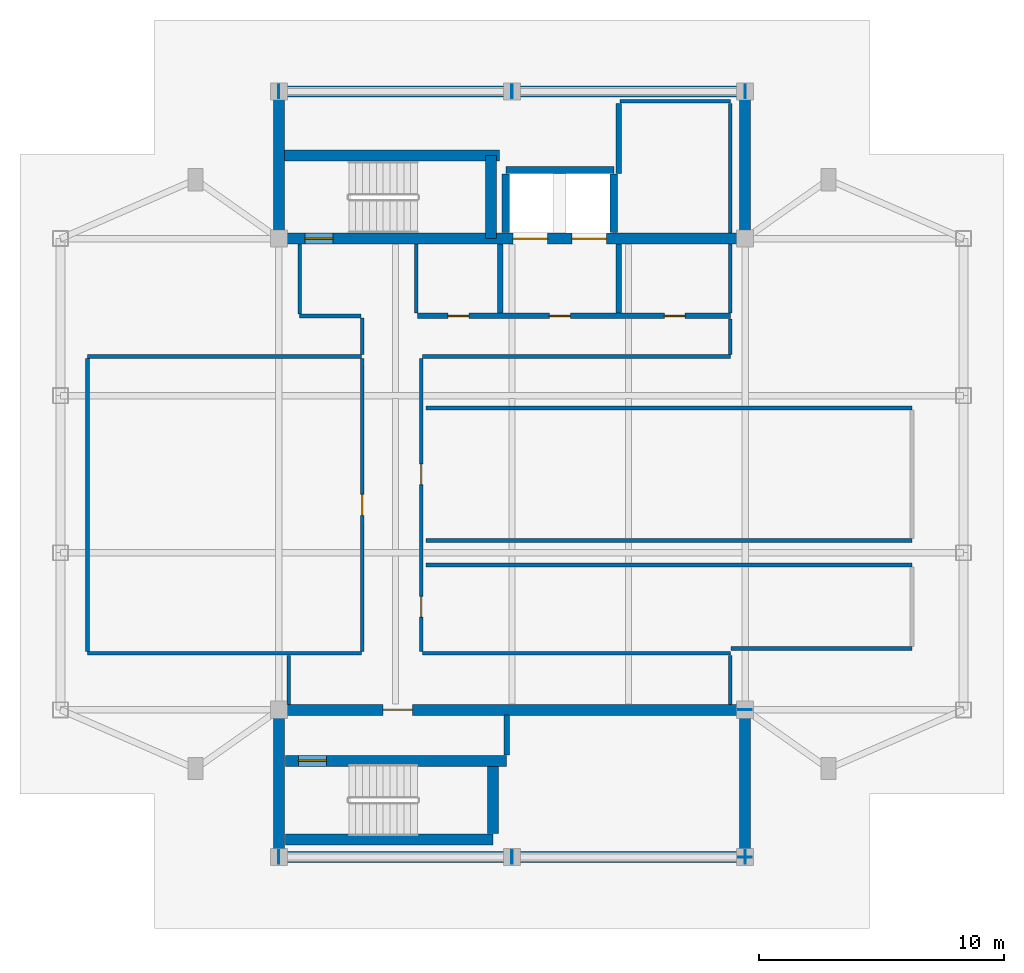
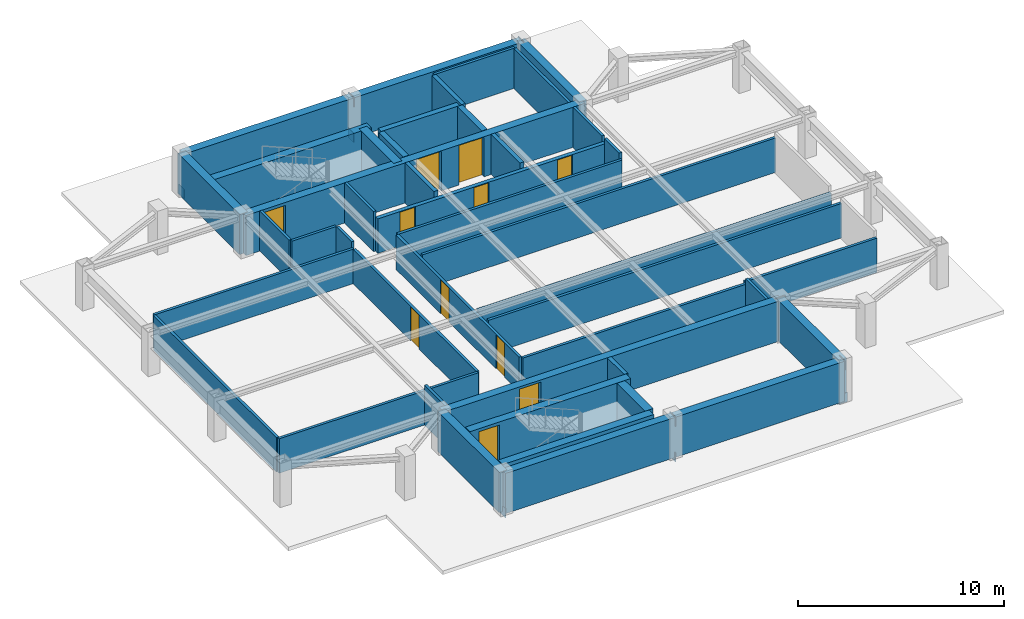
# One storey, part 2 of 4: 42 walls, 11 doors, 10 plates, 11 openings.
"""IFC4 building model written with IfcOpenShell, lengths in metres."""

import ifcopenshell
import ifcopenshell.guid

model = None  # the IFC model being written
_history = None  # IfcOwnerHistory: only IFC2X3 demands one
_inside = {}  # id of a spatial element -> (the spatial element, [elements in it])
_under = {}  # id of a project, library or spatial element -> (it, [spatial elements below it])
_declared = {}  # id of a project -> (the project, [libraries it declares])
_typed = {}  # id of a type object -> (the type object, [elements of that type])
_made_of = {}  # id of a material, layer set ... -> (it, [elements and type objects made of it])


def new_model(schema):
    """Start an empty IFC model of exactly this schema.

    Asked for "IFC4X3", IfcOpenShell would pick the latest addendum, in which some entities
    have other attributes; the version numbers below select the first issue.
    IFC2X3 requires an IfcOwnerHistory on every rooted entity: one is made here for all.
    """
    global model, _history
    if schema == "IFC4X3":
        model = ifcopenshell.file(schema_version=(4, 3, 0, 0))
    else:
        model = ifcopenshell.file(schema=schema)
    _inside.clear()
    _under.clear()
    _declared.clear()
    _typed.clear()
    _made_of.clear()
    _history = None
    if model.schema == "IFC2X3":
        org = make("IfcOrganization", Name="unknown")
        user = make(
            "IfcPersonAndOrganization",
            ThePerson=make("IfcPerson", FamilyName="unknown"),
            TheOrganization=org,
        )
        app = make(
            "IfcApplication",
            ApplicationDeveloper=org,
            Version="unknown",
            ApplicationFullName="unknown",
            ApplicationIdentifier="unknown",
        )
        _history = make(
            "IfcOwnerHistory",
            OwningUser=user,
            OwningApplication=app,
            ChangeAction="ADDED",
            CreationDate=0,
        )
    return model


def make(cls, **values):
    """One entity of the class cls with the attributes given. An attribute that is None is left unset."""
    return model.create_entity(
        cls, **{name: value for name, value in values.items() if value is not None}
    )


def rooted(cls, **values):
    """An entity with a GlobalId (a new one), such as an element, a storey or a relation."""
    return make(cls, GlobalId=ifcopenshell.guid.new(), OwnerHistory=_history, **values)


def si_unit(unit_type, name, prefix=None):
    """IfcSIUnit, for example si_unit("LENGTHUNIT", "METRE", prefix="MILLI")."""
    return make("IfcSIUnit", UnitType=unit_type, Prefix=prefix, Name=name)


def assignment(units):
    """IfcUnitAssignment: the units of a project."""
    return None if units is None else make("IfcUnitAssignment", Units=units)


def point(xyz):
    """IfcCartesianPoint."""
    return None if xyz is None else make("IfcCartesianPoint", Coordinates=xyz)


def direction(xyz):
    """IfcDirection."""
    return None if xyz is None else make("IfcDirection", DirectionRatios=xyz)


def frame(location, z_axis=None, x_axis=None):
    """IfcAxis2Placement3D, a coordinate frame: its origin and axes. An axis left out is left unset."""
    return make(
        "IfcAxis2Placement3D",
        Location=point(location),
        Axis=direction(z_axis),
        RefDirection=direction(x_axis),
    )


def frame_2d(location, x_axis=None):
    """IfcAxis2Placement2D, a coordinate frame in the plane: its origin and x axis."""
    return make(
        "IfcAxis2Placement2D", Location=point(location), RefDirection=direction(x_axis)
    )


def origin():
    """The frame at (0, 0, 0) with its axes left unset."""
    return frame((0.0, 0.0, 0.0))


def origin_2d():
    """The frame at (0, 0) in the plane with its x axis left unset."""
    return frame_2d((0.0, 0.0))


def place(relative_to, where):
    """IfcLocalPlacement: puts the frame where relative to a parent placement (None: the world)."""
    return make(
        "IfcLocalPlacement", PlacementRelTo=relative_to, RelativePlacement=where
    )


def context(
    kind, dimensions, precision=None, world=None, true_north=None, identifier=None
):
    """IfcGeometricRepresentationContext, for example the 3D "Model" context."""
    return make(
        "IfcGeometricRepresentationContext",
        ContextIdentifier=identifier,
        ContextType=kind,
        CoordinateSpaceDimension=dimensions,
        Precision=precision,
        WorldCoordinateSystem=world,
        TrueNorth=true_north,
    )


def subcontext(parent, identifier, kind, view, scale=None):
    """IfcGeometricRepresentationSubContext, for example "Body" below "Model"."""
    return make(
        "IfcGeometricRepresentationSubContext",
        ContextIdentifier=identifier,
        ContextType=kind,
        ParentContext=parent,
        TargetScale=scale,
        TargetView=view,
    )


def project(units=None, contexts=None):
    """IfcProject with its units and contexts."""
    return rooted(
        "IfcProject",
        Name="project",
        RepresentationContexts=contexts,
        UnitsInContext=assignment(units),
    )


def spatial(cls, under=None, at=None, **own):
    """A site, building, storey or space (cls), placed at a placement, below another one or the project."""
    s = rooted(cls, ObjectPlacement=at, **own)
    if under is not None:
        _under.setdefault(under.id(), (under, []))[1].append(s)
    return s


def profile(cls, at=None, kind="AREA", **sizes):
    """A parametric profile (cls). Its sizes go by their IFC names, for example OverallWidth=200.0."""
    return make(cls, ProfileType=kind, Position=at, **sizes)


def rectangle(**sizes):
    """IfcRectangleProfileDef."""
    return profile("IfcRectangleProfileDef", **sizes)


def extrude(swept, where, along, depth):
    """IfcExtrudedAreaSolid: the profile swept, set in the frame where, extruded along a direction by depth."""
    return make(
        "IfcExtrudedAreaSolid",
        SweptArea=swept,
        Position=where,
        ExtrudedDirection=direction(along),
        Depth=depth,
    )


def shape(context_of_items, identifier, shape_type, items):
    """IfcShapeRepresentation: the items that make up one representation, for example the "Body"."""
    return make(
        "IfcShapeRepresentation",
        ContextOfItems=context_of_items,
        RepresentationIdentifier=identifier,
        RepresentationType=shape_type,
        Items=items,
    )


def material(Name=None, Category=None):
    """IfcMaterial."""
    return make("IfcMaterial", Name=Name, Category=Category)


def layer(
    of_material, thickness, ventilated=None, Name=None, Category=None, Priority=None
):
    """IfcMaterialLayer: one layer of a wall or slab, of a material (None: an air gap)."""
    return make(
        "IfcMaterialLayer",
        Material=of_material,
        LayerThickness=thickness,
        IsVentilated=ventilated,
        Name=Name,
        Category=Category,
        Priority=Priority,
    )


def layer_set(layers, Name=None):
    """IfcMaterialLayerSet."""
    return make("IfcMaterialLayerSet", MaterialLayers=layers, LayerSetName=Name)


def made_of(thing, what):
    """Note that an element or type object is made of a material, layer set ...; save() writes the relation."""
    if what is not None:
        _made_of.setdefault(what.id(), (what, []))[1].append(thing)
    return thing


def type_object(cls, material=None, **own):
    """A type object (cls), such as IfcWallType, which elements share."""
    return made_of(rooted(cls, **own), material)


def element(
    cls,
    number,
    at=None,
    inside=None,
    cuts=None,
    type_object=None,
    material=None,
    context=None,
    identifier="Body",
    shape_type=None,
    held_by="IfcProductDefinitionShape",
    body=None,
    shapes=None,
    **own,
):
    """One element of the class cls, such as IfcWall. Its Tag is "e" and its number.

    at: its placement. inside: the storey or other place that contains it. cuts: it is an
    opening in that element (IfcRelVoidsElement). A single representation is given by context,
    identifier, shape_type and body (its items); several are given by shapes. held_by: the class
    of the entity that holds the representations. save() writes the other relations.
    """
    e = rooted(cls, Tag="e%d" % number, ObjectPlacement=at, **own)
    if body is not None:
        shapes = [shape(context, identifier, shape_type, body)]
    if shapes is not None:
        e.Representation = make(held_by, Representations=shapes)
    if inside is not None:
        _inside.setdefault(inside.id(), (inside, []))[1].append(e)
    if cuts is not None:
        rooted(
            "IfcRelVoidsElement", RelatingBuildingElement=cuts, RelatedOpeningElement=e
        )
    if type_object is not None:
        _typed.setdefault(type_object.id(), (type_object, []))[1].append(e)
    return made_of(e, material)


def fill(opening, filler):
    """IfcRelFillsElement: the door or window that sits in an opening."""
    return rooted(
        "IfcRelFillsElement",
        RelatingOpeningElement=opening,
        RelatedBuildingElement=filler,
    )


def aggregate(whole, parts):
    """IfcRelAggregates: a whole, such as a stair, and the parts it consists of."""
    return rooted("IfcRelAggregates", RelatingObject=whole, RelatedObjects=parts)


def save(model, path):
    """Write the relations noted so far, then the file.

    IfcRelAggregates (storeys below a building ...), IfcRelContainedInSpatialStructure (elements
    in a storey), IfcRelDefinesByType, IfcRelAssociatesMaterial and IfcRelDeclares: one each for
    every whole, place, type object, material and project.
    """
    for whole, parts in _under.values():
        aggregate(whole, parts)
    for where, things in _inside.values():
        rooted(
            "IfcRelContainedInSpatialStructure",
            RelatedElements=things,
            RelatingStructure=where,
        )
    for kind, things in _typed.values():
        rooted("IfcRelDefinesByType", RelatedObjects=things, RelatingType=kind)
    for what, things in _made_of.values():
        rooted("IfcRelAssociatesMaterial", RelatedObjects=things, RelatingMaterial=what)
    for by, libraries in _declared.values():
        rooted("IfcRelDeclares", RelatingContext=by, RelatedDefinitions=libraries)
    model.write(path)


model = new_model("IFC4")

# Units and contexts
model_context = context("Model", 3, precision=1e-05, world=origin(), true_north=direction((0.0, 1.0)))
body_context = subcontext(model_context, "Body", "Model", "MODEL_VIEW")
ifc_project = project(units=[si_unit("LENGTHUNIT", "METRE"), si_unit("AREAUNIT", "SQUARE_METRE"), si_unit("VOLUMEUNIT", "CUBIC_METRE"), si_unit("PLANEANGLEUNIT", "RADIAN"), si_unit("MASSUNIT", "GRAM", prefix="KILO")], contexts=[model_context])

# Site, building, storey
site_placement = place(None, origin())
site = spatial("IfcSite", under=ifc_project, at=site_placement, CompositionType="ELEMENT")
building_placement = place(site_placement, origin())
building = spatial("IfcBuilding", under=site, at=building_placement, Name="Mirazonda Arch Towers", CompositionType="ELEMENT")
storey_placement = place(building_placement, frame((0.0, 0.0, 266.10009765625)))
storey = spatial("IfcBuildingStorey", under=building, at=storey_placement, Name="L76", CompositionType="ELEMENT", Elevation=266.10009765625)

# Plates
ifc_material_1 = material(Name="Steel ASTM A572 Grade 50", Category="steel")
ifc_layer_1 = layer(ifc_material_1, 0.030029296875, Name="PLATE-CAP-550x550x30")
ifc_layer_set_1 = layer_set([ifc_layer_1], Name="Steel ASTM A572 Grade 50")
plate_type = type_object("IfcPlateType", Name="PLATE-CAP-550x550x30", PredefinedType="USERDEFINED", material=ifc_layer_set_1)
for number, where, z_axis, x_axis, name in (
    (1, (10.9921875, 12.39990234375, -0.22705078125), (0.0, 0.0, 1.0), (-1.0, 0.0, 0.0), "Steel end closure plate NP-CRN-INTBR-1A"),
    (2, (20.5078125, 12.39990234375, 1.87646484375), (0.0, 0.0, 1.0), (1.0, 0.0, 0.0), "Steel end closure plate NP-CRN-INTBR-1B"),
    (3, (20.4921875, 12.39990234375, -0.22705078125), (0.0, 0.0, 1.0), (-1.0, 0.0, 0.0), "Steel end closure plate NP-CRN-INTBR-2A"),
    (4, (30.0078125, 12.39990234375, 1.87646484375), (0.0, 0.0, 1.0), (1.0, 0.0, 0.0), "Steel end closure plate NP-CRN-INTBR-2B"),
    (5, (10.9921875, 43.60009765625, -0.22705078125), (0.0, 0.0, 1.0), (-1.0, 0.0, 0.0), "Steel end closure plate NP-CRN-INTBR-3A"),
    (6, (20.5078125, 43.60009765625, 1.87646484375), (0.0, 0.0, 1.0), (1.0, 0.0, 0.0), "Steel end closure plate NP-CRN-INTBR-3B"),
    (7, (20.4921875, 43.60009765625, -0.22705078125), (0.0, 0.0, 1.0), (-1.0, 0.0, 0.0), "Steel end closure plate NP-CRN-INTBR-4A"),
    (8, (30.0078125, 43.60009765625, 1.87646484375), (0.0, 0.0, 1.0), (1.0, 0.0, 0.0), "Steel end closure plate NP-CRN-INTBR-4B"),
    (9, (30.0, 12.392333984375, -0.2275390625), (0.0, 0.0, 1.0), (0.0, -1.0, 0.0), "Steel end closure plate NP-CRN-INTBR-5A"),
    (10, (30.0, 18.40771484375, 1.87744140625), (0.0, 0.0, 1.0), (0.0, 1.0, 0.0), "Steel end closure plate NP-CRN-INTBR-5B"),
):
    element("IfcPlate", number, at=place(storey_placement, frame(where, z_axis=z_axis, x_axis=x_axis)), inside=storey, type_object=plate_type, Name=name, ObjectType="CAP PLATE", PredefinedType="USERDEFINED", context=body_context, shape_type="SweptSolid", body=[
        extrude(rectangle(XDim=0.0400390625, YDim=0.550048828125, at=origin_2d()), origin(), (0.0, 0.0, 1.0), 0.550048828125),
    ])

# Walls
ifc_material_2 = material(Name="Concrete C50/60", Category="concrete")
ifc_layer_2 = layer(ifc_material_2, 0.449951171875, Name="WALL-CORE-450")
ifc_layer_set_2 = layer_set([ifc_layer_2], Name="Concrete C50/60")
wall_type_1 = type_object("IfcWallType", Name="WALL-CORE-450", PredefinedType="SHEAR", material=ifc_layer_set_2)
wall_1_placement = place(storey_placement, frame((11.0, 43.60009765625, 0.0), z_axis=(0.0, 0.0, 1.0), x_axis=(1.0, 0.0, 0.0)))
element("IfcWall", 11, at=wall_1_placement, inside=storey, type_object=wall_type_1, Name="L76 T1N-N Core Shear Wall", PredefinedType="SHEAR", context=body_context, shape_type="SweptSolid", body=[
    extrude(rectangle(XDim=19.0, YDim=0.449951171875, at=frame_2d((9.5, 0.0))), origin(), (0.0, 0.0, 1.0), 2.3798828125),
])
for number, where, z_axis, x_axis, name in (
    (12, (11.0, 37.60009765625, 0.0), (0.0, 0.0, 1.0), (0.0, 1.0, 0.0), "L76 T1N-W Core Shear Wall"),
    (13, (30.0, 37.60009765625, 0.0), (0.0, 0.0, 1.0), (0.0, 1.0, 0.0), "L76 T1N-E Core Shear Wall"),
):
    element("IfcWall", number, at=place(storey_placement, frame(where, z_axis=z_axis, x_axis=x_axis)), inside=storey, type_object=wall_type_1, Name=name, PredefinedType="SHEAR", context=body_context, shape_type="SweptSolid", body=[
        extrude(rectangle(XDim=6.0, YDim=0.449951171875, at=frame_2d((3.0, 0.0))), origin(), (0.0, 0.0, 1.0), 2.3798828125),
    ])

# Wall, openings, doors
wall_2_placement = place(storey_placement, frame((11.0, 37.60009765625, 0.0), z_axis=(0.0, 0.0, 1.0), x_axis=(1.0, 0.0, 0.0)))
wall_2 = element("IfcWall", 14, at=wall_2_placement, inside=storey, type_object=wall_type_1, Name="L76 T1N-S Core Shear Wall", PredefinedType="SHEAR", context=body_context, shape_type="SweptSolid", body=[
    extrude(rectangle(XDim=19.0, YDim=0.449951171875, at=frame_2d((9.5, 0.0))), origin(), (0.0, 0.0, 1.0), 2.3798828125),
])
opening_1_placement = place(wall_2_placement, frame((1.06005859375, 0.0, 0.0)))
opening_1 = element("IfcOpeningElement", 15, at=opening_1_placement, cuts=wall_2, Name="Opening DR-135", PredefinedType="OPENING", context=body_context, shape_type="SweptSolid", body=[
    extrude(rectangle(XDim=1.14990234375, YDim=2.199951171875, at=frame_2d((0.574951171875, 1.10009765625))), frame((0.0, 0.23486328125, 0.0), z_axis=(0.0, -1.0, 0.0), x_axis=(1.0, 0.0, 0.0)), (0.0, 0.0, 1.0), 0.469970703125),
])
opening_2_placement = place(wall_2_placement, frame((9.550048828125, 0.0, 0.0)))
opening_2 = element("IfcOpeningElement", 16, at=opening_2_placement, cuts=wall_2, Name="Opening LD-112", PredefinedType="OPENING", context=body_context, shape_type="SweptSolid", body=[
    extrude(rectangle(XDim=1.39990234375, YDim=2.35009765625, at=frame_2d((0.699951171875, 1.175048828125))), frame((0.0, 0.23486328125, 0.0), z_axis=(0.0, -1.0, 0.0), x_axis=(1.0, 0.0, 0.0)), (0.0, 0.0, 1.0), 0.469970703125),
])
opening_3_placement = place(wall_2_placement, frame((11.949951171875, 0.0, 0.0)))
opening_3 = element("IfcOpeningElement", 17, at=opening_3_placement, cuts=wall_2, Name="Opening LD-112", PredefinedType="OPENING", context=body_context, shape_type="SweptSolid", body=[
    extrude(rectangle(XDim=1.39990234375, YDim=2.35009765625, at=frame_2d((0.699951171875, 1.175048828125))), frame((0.0, 0.23486328125, 0.0), z_axis=(0.0, -1.0, 0.0), x_axis=(1.0, 0.0, 0.0)), (0.0, 0.0, 1.0), 0.469970703125),
])
ifc_material_3 = material(Name="Architectural Brushed Steel S355", Category="steel")
door_type_1 = type_object("IfcDoorType", Name="DOOR-LIFT-FFL-1400", OperationType="NOTDEFINED", PredefinedType="DOOR", material=ifc_material_3)
door_1_placement = place(opening_2_placement, origin())
door_1 = element("IfcDoor", 18, at=door_1_placement, inside=storey, type_object=door_type_1, Name="L76 Lift Landing Sliding Door FFL-T1", OperationType="DOUBLE_DOOR_SLIDING", OverallHeight=2.35009765625, OverallWidth=1.39990234375, PredefinedType="DOOR", context=body_context, shape_type="SweptSolid", body=[
    extrude(rectangle(XDim=1.39990234375, YDim=2.35009765625, at=frame_2d((0.699951171875, 1.175048828125))), frame((0.0, 0.02490234375, 0.0), z_axis=(0.0, -1.0, 0.0), x_axis=(1.0, 0.0, 0.0)), (0.0, 0.0, 1.0), 0.050048828125),
])
fill(opening_2, door_1)
door_2_placement = place(opening_3_placement, origin())
door_2 = element("IfcDoor", 19, at=door_2_placement, inside=storey, type_object=door_type_1, Name="L76 Lift Landing Sliding Door SVL-T1", OperationType="DOUBLE_DOOR_SLIDING", OverallHeight=2.35009765625, OverallWidth=1.39990234375, PredefinedType="DOOR", context=body_context, shape_type="SweptSolid", body=[
    extrude(rectangle(XDim=1.39990234375, YDim=2.35009765625, at=frame_2d((0.699951171875, 1.175048828125))), frame((0.0, 0.02490234375, 0.0), z_axis=(0.0, -1.0, 0.0), x_axis=(1.0, 0.0, 0.0)), (0.0, 0.0, 1.0), 0.050048828125),
])
fill(opening_3, door_2)
door_type_2 = type_object("IfcDoorType", Name="DOOR-STAIR-FD90-1150", OperationType="NOTDEFINED", PredefinedType="DOOR", material=ifc_material_3)
door_3_placement = place(opening_1_placement, origin())
door_3 = element("IfcDoor", 20, at=door_3_placement, inside=storey, type_object=door_type_2, Name="L76 Protected Exit Stair North Door", OperationType="SINGLE_SWING_LEFT", OverallHeight=2.199951171875, OverallWidth=1.14990234375, PredefinedType="DOOR", context=body_context, shape_type="SweptSolid", body=[
    extrude(rectangle(XDim=1.14990234375, YDim=2.199951171875, at=frame_2d((0.574951171875, 1.10009765625))), frame((0.0, 0.02490234375, 0.0), z_axis=(0.0, -1.0, 0.0), x_axis=(1.0, 0.0, 0.0)), (0.0, 0.0, 1.0), 0.050048828125),
])
fill(opening_1, door_3)

# Walls
wall_3_placement = place(storey_placement, frame((11.0, 40.992919921875, 0.0), z_axis=(0.0, 0.0, 1.0), x_axis=(1.0, 0.0, 0.0)))
element("IfcWall", 21, at=wall_3_placement, inside=storey, type_object=wall_type_1, Name="L76 T1N-STN Core Shear Wall", PredefinedType="SHEAR", context=body_context, shape_type="SweptSolid", body=[
    extrude(rectangle(XDim=9.0, YDim=0.449951171875, at=frame_2d((4.5, 0.0))), origin(), (0.0, 0.0, 1.0), 2.3798828125),
])
wall_4_placement = place(storey_placement, frame((19.64990234375, 37.60009765625, 0.0), z_axis=(0.0, 0.0, 1.0), x_axis=(0.0, 1.0, 0.0)))
element("IfcWall", 22, at=wall_4_placement, inside=storey, type_object=wall_type_1, Name="L76 T1N-STE Core Shear Wall", PredefinedType="SHEAR", context=body_context, shape_type="SweptSolid", body=[
    extrude(rectangle(XDim=3.392822265625, YDim=0.449951171875, at=frame_2d((1.6962890625, 0.0))), origin(), (0.0, 0.0, 1.0), 2.3798828125),
])
wall_5_placement = place(storey_placement, frame((11.0, 12.39990234375, 0.0), z_axis=(0.0, 0.0, 1.0), x_axis=(1.0, 0.0, 0.0)))
element("IfcWall", 23, at=wall_5_placement, inside=storey, type_object=wall_type_1, Name="L76 T1S-S Core Shear Wall", PredefinedType="SHEAR", context=body_context, shape_type="SweptSolid", body=[
    extrude(rectangle(XDim=19.0, YDim=0.449951171875, at=frame_2d((9.5, 0.0))), origin(), (0.0, 0.0, 1.0), 2.3798828125),
])
for number, where, z_axis, x_axis, name in (
    (24, (11.0, 12.39990234375, 0.0), (0.0, 0.0, 1.0), (0.0, 1.0, 0.0), "L76 T1S-W Core Shear Wall"),
    (25, (30.0, 12.39990234375, 0.0), (0.0, 0.0, 1.0), (0.0, 1.0, 0.0), "L76 T1S-E Core Shear Wall"),
):
    element("IfcWall", number, at=place(storey_placement, frame(where, z_axis=z_axis, x_axis=x_axis)), inside=storey, type_object=wall_type_1, Name=name, PredefinedType="SHEAR", context=body_context, shape_type="SweptSolid", body=[
        extrude(rectangle(XDim=6.0, YDim=0.449951171875, at=frame_2d((3.0, 0.0))), origin(), (0.0, 0.0, 1.0), 2.3798828125),
    ])

# Wall, opening, door
wall_6_placement = place(storey_placement, frame((11.0, 18.39990234375, 0.0), z_axis=(0.0, 0.0, 1.0), x_axis=(1.0, 0.0, 0.0)))
wall_6 = element("IfcWall", 26, at=wall_6_placement, inside=storey, type_object=wall_type_1, Name="L76 T1S-N Core Shear Wall", PredefinedType="SHEAR", context=body_context, shape_type="SweptSolid", body=[
    extrude(rectangle(XDim=19.0, YDim=0.449951171875, at=frame_2d((9.5, 0.0))), origin(), (0.0, 0.0, 1.0), 2.3798828125),
])
opening_4_placement = place(wall_6_placement, frame((4.239990234375, 0.0, 0.0)))
opening_4 = element("IfcOpeningElement", 27, at=opening_4_placement, cuts=wall_6, Name="Opening DR-117", PredefinedType="OPENING", context=body_context, shape_type="SweptSolid", body=[
    extrude(rectangle(XDim=1.199951171875, YDim=2.25, at=frame_2d((0.60009765625, 1.125))), frame((0.0, 0.23486328125, 0.0), z_axis=(0.0, -1.0, 0.0), x_axis=(1.0, 0.0, 0.0)), (0.0, 0.0, 1.0), 0.469970703125),
])
door_type_3 = type_object("IfcDoorType", Name="DOOR-FFL-FD90-1200", OperationType="NOTDEFINED", PredefinedType="DOOR", material=ifc_material_3)
door_4_placement = place(opening_4_placement, origin())
door_4 = element("IfcDoor", 28, at=door_4_placement, inside=storey, type_object=door_type_3, Name="L76 South Core Stair & Lift Lobby Door", OperationType="SINGLE_SWING_LEFT", OverallHeight=2.25, OverallWidth=1.199951171875, PredefinedType="DOOR", context=body_context, shape_type="SweptSolid", body=[
    extrude(rectangle(XDim=1.199951171875, YDim=2.25, at=frame_2d((0.60009765625, 1.125))), frame((0.0, 0.02490234375, 0.0), z_axis=(0.0, -1.0, 0.0), x_axis=(1.0, 0.0, 0.0)), (0.0, 0.0, 1.0), 0.050048828125),
])
fill(opening_4, door_4)

# Wall
wall_7_placement = place(storey_placement, frame((11.27001953125, 13.1201171875, 0.0), z_axis=(0.0, 0.0, 1.0), x_axis=(1.0, 0.0, 0.0)))
element("IfcWall", 29, at=wall_7_placement, inside=storey, type_object=wall_type_1, Name="L76 Stair Core Shear Wall 001", PredefinedType="SHEAR", context=body_context, shape_type="SweptSolid", body=[
    extrude(rectangle(XDim=8.4599609375, YDim=0.449951171875, at=frame_2d((4.22998046875, 0.0))), origin(), (0.0, 0.0, 1.0), 2.3798828125),
])

# Wall, opening, door
wall_8_placement = place(storey_placement, frame((11.27001953125, 16.320068359375, 0.0), z_axis=(0.0, 0.0, 1.0), x_axis=(1.0, 0.0, 0.0)))
wall_8 = element("IfcWall", 30, at=wall_8_placement, inside=storey, type_object=wall_type_1, Name="L76 Stair Core Shear Wall 002", PredefinedType="SHEAR", context=body_context, shape_type="SweptSolid", body=[
    extrude(rectangle(XDim=9.010009765625, YDim=0.449951171875, at=frame_2d((4.5048828125, 0.0))), origin(), (0.0, 0.0, 1.0), 2.3798828125),
])
opening_5_placement = place(wall_8_placement, frame((0.52001953125, 0.0, 0.0)))
opening_5 = element("IfcOpeningElement", 31, at=opening_5_placement, cuts=wall_8, Name="Opening DR-135", PredefinedType="OPENING", context=body_context, shape_type="SweptSolid", body=[
    extrude(rectangle(XDim=1.14990234375, YDim=2.199951171875, at=frame_2d((0.574951171875, 1.10009765625))), frame((0.0, 0.23486328125, 0.0), z_axis=(0.0, -1.0, 0.0), x_axis=(1.0, 0.0, 0.0)), (0.0, 0.0, 1.0), 0.469970703125),
])
door_5_placement = place(opening_5_placement, origin())
door_5 = element("IfcDoor", 32, at=door_5_placement, inside=storey, type_object=door_type_2, Name="L76 Protected Exit Stair South Door", OperationType="SINGLE_SWING_RIGHT", OverallHeight=2.199951171875, OverallWidth=1.14990234375, PredefinedType="DOOR", context=body_context, shape_type="SweptSolid", body=[
    extrude(rectangle(XDim=1.14990234375, YDim=2.199951171875, at=frame_2d((0.574951171875, 1.10009765625))), frame((0.0, 0.02490234375, 0.0), z_axis=(0.0, -1.0, 0.0), x_axis=(1.0, 0.0, 0.0)), (0.0, 0.0, 1.0), 0.050048828125),
])
fill(opening_5, door_5)

# Wall
wall_9_placement = place(storey_placement, frame((19.72998046875, 13.35498046875, 0.0), z_axis=(0.0, 0.0, 1.0), x_axis=(0.0, 1.0, 0.0)))
element("IfcWall", 33, at=wall_9_placement, inside=storey, type_object=wall_type_1, Name="L76 Stair Core Shear Wall 022", PredefinedType="SHEAR", context=body_context, shape_type="SweptSolid", body=[
    extrude(rectangle(XDim=2.72998046875, YDim=0.449951171875, at=frame_2d((1.364990234375, 0.0))), origin(), (0.0, 0.0, 1.0), 2.3798828125),
])

# Wall, openings, doors
ifc_material_4 = material(Name="Concrete C40/50", Category="concrete")
ifc_layer_3 = layer(ifc_material_4, 0.219970703125, Name="WALL-FFL-220")
ifc_layer_set_3 = layer_set([ifc_layer_3], Name="Concrete C40/50")
wall_type_2 = type_object("IfcWallType", Name="WALL-FFL-220", PredefinedType="SOLIDWALL", material=ifc_layer_set_3)
wall_10_placement = place(storey_placement, frame((16.639892578125, 34.449951171875, 0.0), z_axis=(0.0, 0.0, 1.0), x_axis=(1.0, 0.0, 0.0)))
wall_10 = element("IfcWall", 34, at=wall_10_placement, inside=storey, type_object=wall_type_2, Name="L76 Interior Partition 012", PredefinedType="SOLIDWALL", context=body_context, shape_type="SweptSolid", body=[
    extrude(rectangle(XDim=12.760009765625, YDim=0.219970703125, at=frame_2d((6.3798828125, 0.0))), origin(), (0.0, 0.0, 1.0), 2.0419921875),
])
opening_6_placement = place(wall_10_placement, frame((5.385009765625, 0.0, 0.0)))
opening_6 = element("IfcOpeningElement", 35, at=opening_6_placement, cuts=wall_10, Name="Opening DR-128", PredefinedType="OPENING", context=body_context, shape_type="SweptSolid", body=[
    extrude(rectangle(XDim=0.85009765625, YDim=2.010009765625, at=frame_2d((0.425048828125, 1.0048828125))), frame((0.0, 0.119873046875, 0.0), z_axis=(0.0, -1.0, 0.0), x_axis=(1.0, 0.0, 0.0)), (0.0, 0.0, 1.0), 0.239990234375),
])
opening_7_placement = place(wall_10_placement, frame((10.06494140625, 0.0, 0.0)))
opening_7 = element("IfcOpeningElement", 36, at=opening_7_placement, cuts=wall_10, Name="Opening DR-128", PredefinedType="OPENING", context=body_context, shape_type="SweptSolid", body=[
    extrude(rectangle(XDim=0.85009765625, YDim=2.010009765625, at=frame_2d((0.425048828125, 1.0048828125))), frame((0.0, 0.119873046875, 0.0), z_axis=(0.0, -1.0, 0.0), x_axis=(1.0, 0.0, 0.0)), (0.0, 0.0, 1.0), 0.239990234375),
])
opening_8_placement = place(wall_10_placement, frame((1.25, 0.0, 0.0)))
opening_8 = element("IfcOpeningElement", 37, at=opening_8_placement, cuts=wall_10, Name="Opening DR-128", PredefinedType="OPENING", context=body_context, shape_type="SweptSolid", body=[
    extrude(rectangle(XDim=0.85009765625, YDim=2.010009765625, at=frame_2d((0.425048828125, 1.0048828125))), frame((0.0, 0.119873046875, 0.0), z_axis=(0.0, -1.0, 0.0), x_axis=(1.0, 0.0, 0.0)), (0.0, 0.0, 1.0), 0.239990234375),
])
door_type_4 = type_object("IfcDoorType", Name="DOOR-RISER-FD60-850", OperationType="NOTDEFINED", PredefinedType="DOOR", material=ifc_material_3)
door_6_placement = place(opening_6_placement, origin())
door_6 = element("IfcDoor", 38, at=door_6_placement, inside=storey, type_object=door_type_4, Name="L76 Firefighting Lift Lobby Door", OperationType="SINGLE_SWING_RIGHT", OverallHeight=2.010009765625, OverallWidth=0.85009765625, PredefinedType="DOOR", context=body_context, shape_type="SweptSolid", body=[
    extrude(rectangle(XDim=0.85009765625, YDim=2.010009765625, at=frame_2d((0.425048828125, 1.0048828125))), frame((0.0, 0.02490234375, 0.0), z_axis=(0.0, -1.0, 0.0), x_axis=(1.0, 0.0, 0.0)), (0.0, 0.0, 1.0), 0.050048828125),
])
fill(opening_6, door_6)
door_7_placement = place(opening_7_placement, origin())
door_7 = element("IfcDoor", 39, at=door_7_placement, inside=storey, type_object=door_type_4, Name="L76 Mechanical Exhaust & Riser Plant Room Door", OperationType="SINGLE_SWING_LEFT", OverallHeight=2.010009765625, OverallWidth=0.85009765625, PredefinedType="DOOR", context=body_context, shape_type="SweptSolid", body=[
    extrude(rectangle(XDim=0.85009765625, YDim=2.010009765625, at=frame_2d((0.425048828125, 1.0048828125))), frame((0.0, 0.02490234375, 0.0), z_axis=(0.0, -1.0, 0.0), x_axis=(1.0, 0.0, 0.0)), (0.0, 0.0, 1.0), 0.050048828125),
])
fill(opening_7, door_7)
door_8_placement = place(opening_8_placement, origin())
door_8 = element("IfcDoor", 40, at=door_8_placement, inside=storey, type_object=door_type_4, Name="L76 Electrical & Housekeeping Service Room Door", OperationType="SINGLE_SWING_RIGHT", OverallHeight=2.010009765625, OverallWidth=0.85009765625, PredefinedType="DOOR", context=body_context, shape_type="SweptSolid", body=[
    extrude(rectangle(XDim=0.85009765625, YDim=2.010009765625, at=frame_2d((0.425048828125, 1.0048828125))), frame((0.0, 0.02490234375, 0.0), z_axis=(0.0, -1.0, 0.0), x_axis=(1.0, 0.0, 0.0)), (0.0, 0.0, 1.0), 0.050048828125),
])
fill(opening_8, door_8)

# Walls
wall_11_placement = place(storey_placement, frame((20.02490234375, 34.570068359375, 0.0), z_axis=(0.0, 0.0, 1.0), x_axis=(0.0, 1.0, 0.0)))
element("IfcWall", 41, at=wall_11_placement, inside=storey, type_object=wall_type_2, Name="L76 Interior Partition 023", PredefinedType="SOLIDWALL", context=body_context, shape_type="SweptSolid", body=[
    extrude(rectangle(XDim=2.809814453125, YDim=0.219970703125, at=frame_2d((1.40478515625, 0.0))), origin(), (0.0, 0.0, 1.0), 2.3798828125),
])
wall_12_placement = place(storey_placement, frame((20.280029296875, 16.554931640625, 0.0), z_axis=(0.0, 0.0, 1.0), x_axis=(0.0, 1.0, 0.0)))
element("IfcWall", 42, at=wall_12_placement, inside=storey, type_object=wall_type_2, Name="L76 Interior Partition 024", PredefinedType="SOLIDWALL", context=body_context, shape_type="SweptSolid", body=[
    extrude(rectangle(XDim=1.625, YDim=0.219970703125, at=frame_2d((0.8125, 0.0))), origin(), (0.0, 0.0, 1.0), 2.3798828125),
])
wall_13_placement = place(storey_placement, frame((24.85009765625, 34.570068359375, 0.0), z_axis=(0.0, 0.0, 1.0), x_axis=(0.0, 1.0, 0.0)))
element("IfcWall", 43, at=wall_13_placement, inside=storey, type_object=wall_type_2, Name="L76 Interior Partition 027", PredefinedType="SOLIDWALL", context=body_context, shape_type="SweptSolid", body=[
    extrude(rectangle(XDim=2.809814453125, YDim=0.219970703125, at=frame_2d((1.40478515625, 0.0))), origin(), (0.0, 0.0, 1.0), 2.3798828125),
])
wall_14_placement = place(storey_placement, frame((24.85009765625, 40.260009765625, 0.0), z_axis=(0.0, 0.0, 1.0), x_axis=(0.0, 1.0, 0.0)))
element("IfcWall", 44, at=wall_14_placement, inside=storey, type_object=wall_type_2, Name="L76 Interior Partition 028", PredefinedType="SOLIDWALL", context=body_context, shape_type="SweptSolid", body=[
    extrude(rectangle(XDim=2.85498046875, YDim=0.219970703125, at=frame_2d((1.427490234375, 0.0))), origin(), (0.0, 0.0, 1.0), 2.3798828125),
])
ifc_material_5 = material(Name="Fire-Rated Gypsum Stud Partition")
ifc_layer_4 = layer(ifc_material_5, 0.14990234375, Name="WALL-PART-CORR-150")
ifc_layer_set_4 = layer_set([ifc_layer_4], Name="Fire-Rated Gypsum Stud Partition")
wall_type_3 = type_object("IfcWallType", Name="WALL-PART-CORR-150", PredefinedType="PARTITIONING", material=ifc_layer_set_4)
wall_15_placement = place(storey_placement, frame((3.199951171875, 20.699951171875, 0.0), z_axis=(0.0, 0.0, 1.0), x_axis=(1.0, 0.0, 0.0)))
element("IfcWall", 45, at=wall_15_placement, inside=storey, type_object=wall_type_3, Name="L76 Interior Partition 003", PredefinedType="PARTITIONING", context=body_context, shape_type="SweptSolid", body=[
    extrude(rectangle(XDim=11.16015625, YDim=0.14990234375, at=frame_2d((5.580078125, 0.0))), origin(), (0.0, 0.0, 1.0), 2.0419921875),
])
wall_16_placement = place(storey_placement, frame((16.85009765625, 20.699951171875, 0.0), z_axis=(0.0, 0.0, 1.0), x_axis=(1.0, 0.0, 0.0)))
element("IfcWall", 46, at=wall_16_placement, inside=storey, type_object=wall_type_3, Name="L76 Interior Partition 004", PredefinedType="PARTITIONING", context=body_context, shape_type="SweptSolid", body=[
    extrude(rectangle(XDim=12.5498046875, YDim=0.14990234375, at=frame_2d((6.27490234375, 0.0))), origin(), (0.0, 0.0, 1.0), 2.0419921875),
])
wall_17_placement = place(storey_placement, frame((29.419921875, 20.89990234375, 0.0), z_axis=(0.0, 0.0, 1.0), x_axis=(1.0, 0.0, 0.0)))
element("IfcWall", 47, at=wall_17_placement, inside=storey, type_object=wall_type_3, Name="L76 Interior Partition 005", PredefinedType="PARTITIONING", context=body_context, shape_type="SweptSolid", body=[
    extrude(rectangle(XDim=7.380126953125, YDim=0.14990234375, at=frame_2d((3.68994140625, 0.0))), origin(), (0.0, 0.0, 1.0), 2.0419921875),
])
for number, where, z_axis, x_axis, name in (
    (48, (17.0, 24.300048828125, 0.0), (0.0, 0.0, 1.0), (1.0, 0.0, 0.0), "L76 Interior Partition 006"),
    (49, (17.0, 25.300048828125, 0.0), (0.0, 0.0, 1.0), (1.0, 0.0, 0.0), "L76 Interior Partition 007"),
    (50, (17.0, 30.699951171875, 0.0), (0.0, 0.0, 1.0), (1.0, 0.0, 0.0), "L76 Interior Partition 008"),
):
    element("IfcWall", number, at=place(storey_placement, frame(where, z_axis=z_axis, x_axis=x_axis)), inside=storey, type_object=wall_type_3, Name=name, PredefinedType="PARTITIONING", context=body_context, shape_type="SweptSolid", body=[
        extrude(rectangle(XDim=19.800048828125, YDim=0.14990234375, at=frame_2d((9.89990234375, 0.0))), origin(), (0.0, 0.0, 1.0), 2.0419921875),
    ])
wall_18_placement = place(storey_placement, frame((3.199951171875, 32.800048828125, 0.0), z_axis=(0.0, 0.0, 1.0), x_axis=(1.0, 0.0, 0.0)))
element("IfcWall", 51, at=wall_18_placement, inside=storey, type_object=wall_type_3, Name="L76 Interior Partition 009", PredefinedType="PARTITIONING", context=body_context, shape_type="SweptSolid", body=[
    extrude(rectangle(XDim=11.16015625, YDim=0.14990234375, at=frame_2d((5.580078125, 0.0))), origin(), (0.0, 0.0, 1.0), 2.0419921875),
])
wall_19_placement = place(storey_placement, frame((16.85009765625, 32.800048828125, 0.0), z_axis=(0.0, 0.0, 1.0), x_axis=(1.0, 0.0, 0.0)))
element("IfcWall", 52, at=wall_19_placement, inside=storey, type_object=wall_type_3, Name="L76 Interior Partition 010", PredefinedType="PARTITIONING", context=body_context, shape_type="SweptSolid", body=[
    extrude(rectangle(XDim=12.5498046875, YDim=0.14990234375, at=frame_2d((6.27490234375, 0.0))), origin(), (0.0, 0.0, 1.0), 2.0419921875),
])
wall_20_placement = place(storey_placement, frame((11.85009765625, 34.449951171875, 0.0), z_axis=(0.0, 0.0, 1.0), x_axis=(1.0, 0.0, 0.0)))
element("IfcWall", 53, at=wall_20_placement, inside=storey, type_object=wall_type_3, Name="L76 Interior Partition 011", PredefinedType="PARTITIONING", context=body_context, shape_type="SweptSolid", body=[
    extrude(rectangle(XDim=2.5, YDim=0.14990234375, at=frame_2d((1.25, 0.0))), origin(), (0.0, 0.0, 1.0), 2.3798828125),
])
wall_21_placement = place(storey_placement, frame((24.89990234375, 43.199951171875, 0.0), z_axis=(0.0, 0.0, 1.0), x_axis=(1.0, 0.0, 0.0)))
element("IfcWall", 54, at=wall_21_placement, inside=storey, type_object=wall_type_3, Name="L76 Interior Partition 014", PredefinedType="PARTITIONING", context=body_context, shape_type="SweptSolid", body=[
    extrude(rectangle(XDim=4.5, YDim=0.14990234375, at=frame_2d((2.25, 0.0))), origin(), (0.0, 0.0, 1.0), 2.3798828125),
])
wall_22_placement = place(storey_placement, frame((3.199951171875, 20.784912109375, 0.0), z_axis=(0.0, 0.0, 1.0), x_axis=(0.0, 1.0, 0.0)))
element("IfcWall", 55, at=wall_22_placement, inside=storey, type_object=wall_type_3, Name="L76 Interior Partition 015", PredefinedType="PARTITIONING", context=body_context, shape_type="SweptSolid", body=[
    extrude(rectangle(XDim=11.93017578125, YDim=0.14990234375, at=frame_2d((5.965087890625, 0.0))), origin(), (0.0, 0.0, 1.0), 2.0419921875),
])
wall_23_placement = place(storey_placement, frame((11.39990234375, 18.6201171875, 0.0), z_axis=(0.0, 0.0, 1.0), x_axis=(0.0, 1.0, 0.0)))
element("IfcWall", 56, at=wall_23_placement, inside=storey, type_object=wall_type_3, Name="L76 Interior Partition 016", PredefinedType="PARTITIONING", context=body_context, shape_type="SweptSolid", body=[
    extrude(rectangle(XDim=1.994873046875, YDim=0.14990234375, at=frame_2d((0.99755859375, 0.0))), origin(), (0.0, 0.0, 1.0), 2.3798828125),
])
wall_24_placement = place(storey_placement, frame((11.85009765625, 34.534912109375, 0.0), z_axis=(0.0, 0.0, 1.0), x_axis=(0.0, 1.0, 0.0)))
element("IfcWall", 57, at=wall_24_placement, inside=storey, type_object=wall_type_3, Name="L76 Interior Partition 017", PredefinedType="PARTITIONING", context=body_context, shape_type="SweptSolid", body=[
    extrude(rectangle(XDim=2.844970703125, YDim=0.14990234375, at=frame_2d((1.42236328125, 0.0))), origin(), (0.0, 0.0, 1.0), 2.3798828125),
])

# Wall, opening, door
wall_25_placement = place(storey_placement, frame((14.39990234375, 20.784912109375, 0.0), z_axis=(0.0, 0.0, 1.0), x_axis=(0.0, 1.0, 0.0)))
wall_25 = element("IfcWall", 58, at=wall_25_placement, inside=storey, type_object=wall_type_3, Name="L76 Interior Partition 018", PredefinedType="PARTITIONING", context=body_context, shape_type="SweptSolid", body=[
    extrude(rectangle(XDim=11.93017578125, YDim=0.14990234375, at=frame_2d((5.965087890625, 0.0))), origin(), (0.0, 0.0, 1.0), 2.0419921875),
])
opening_9_placement = place(wall_25_placement, frame((5.5400390625, 0.0, 0.0)))
opening_9 = element("IfcOpeningElement", 59, at=opening_9_placement, cuts=wall_25, Name="Opening DR-128", PredefinedType="OPENING", context=body_context, shape_type="SweptSolid", body=[
    extrude(rectangle(XDim=0.85009765625, YDim=2.010009765625, at=frame_2d((0.425048828125, 1.0048828125))), frame((0.0, 0.0849609375, 0.0), z_axis=(0.0, -1.0, 0.0), x_axis=(1.0, 0.0, 0.0)), (0.0, 0.0, 1.0), 0.169921875),
])
door_9_placement = place(opening_9_placement, origin())
door_9 = element("IfcDoor", 60, at=door_9_placement, inside=storey, type_object=door_type_4, Name="L76 L76 West Crown Mechanical Plant Plenum Door", OperationType="SINGLE_SWING_LEFT", OverallHeight=2.010009765625, OverallWidth=0.85009765625, PredefinedType="DOOR", context=body_context, shape_type="SweptSolid", body=[
    extrude(rectangle(XDim=0.85009765625, YDim=2.010009765625, at=frame_2d((0.425048828125, 1.0048828125))), frame((0.0, 0.02490234375, 0.0), z_axis=(0.0, -1.0, 0.0), x_axis=(1.0, 0.0, 0.0)), (0.0, 0.0, 1.0), 0.050048828125),
])
fill(opening_9, door_9)

# Walls
wall_26_placement = place(storey_placement, frame((14.39990234375, 32.885009765625, 0.0), z_axis=(0.0, 0.0, 1.0), x_axis=(0.0, 1.0, 0.0)))
element("IfcWall", 61, at=wall_26_placement, inside=storey, type_object=wall_type_3, Name="L76 Interior Partition 019", PredefinedType="PARTITIONING", context=body_context, shape_type="SweptSolid", body=[
    extrude(rectangle(XDim=1.47998046875, YDim=0.14990234375, at=frame_2d((0.739990234375, 0.0))), origin(), (0.0, 0.0, 1.0), 2.3798828125),
])
wall_27_placement = place(storey_placement, frame((16.60009765625, 34.570068359375, 0.0), z_axis=(0.0, 0.0, 1.0), x_axis=(0.0, 1.0, 0.0)))
element("IfcWall", 62, at=wall_27_placement, inside=storey, type_object=wall_type_3, Name="L76 Interior Partition 020", PredefinedType="PARTITIONING", context=body_context, shape_type="SweptSolid", body=[
    extrude(rectangle(XDim=2.809814453125, YDim=0.14990234375, at=frame_2d((1.40478515625, 0.0))), origin(), (0.0, 0.0, 1.0), 2.3798828125),
])

# Wall, openings, doors
wall_28_placement = place(storey_placement, frame((16.800048828125, 20.784912109375, 0.0), z_axis=(0.0, 0.0, 1.0), x_axis=(0.0, 1.0, 0.0)))
wall_28 = element("IfcWall", 63, at=wall_28_placement, inside=storey, type_object=wall_type_3, Name="L76 Interior Partition 021", PredefinedType="PARTITIONING", context=body_context, shape_type="SweptSolid", body=[
    extrude(rectangle(XDim=11.93017578125, YDim=0.14990234375, at=frame_2d((5.965087890625, 0.0))), origin(), (0.0, 0.0, 1.0), 2.0419921875),
])
opening_10_placement = place(wall_28_placement, frame((6.7900390625, 0.0, 0.0)))
opening_10 = element("IfcOpeningElement", 64, at=opening_10_placement, cuts=wall_28, Name="Opening DR-128", PredefinedType="OPENING", context=body_context, shape_type="SweptSolid", body=[
    extrude(rectangle(XDim=0.85009765625, YDim=2.010009765625, at=frame_2d((0.425048828125, 1.0048828125))), frame((0.0, 0.0849609375, 0.0), z_axis=(0.0, -1.0, 0.0), x_axis=(1.0, 0.0, 0.0)), (0.0, 0.0, 1.0), 0.169921875),
])
opening_11_placement = place(wall_28_placement, frame((1.389892578125, 0.0, 0.0)))
opening_11 = element("IfcOpeningElement", 65, at=opening_11_placement, cuts=wall_28, Name="Opening DR-128", PredefinedType="OPENING", context=body_context, shape_type="SweptSolid", body=[
    extrude(rectangle(XDim=0.85009765625, YDim=2.010009765625, at=frame_2d((0.425048828125, 1.0048828125))), frame((0.0, 0.0849609375, 0.0), z_axis=(0.0, -1.0, 0.0), x_axis=(1.0, 0.0, 0.0)), (0.0, 0.0, 1.0), 0.169921875),
])
door_10_placement = place(opening_10_placement, origin())
door_10 = element("IfcDoor", 66, at=door_10_placement, inside=storey, type_object=door_type_4, Name="L76 L76 Heat-Recovery Mechanical Plant Hall Door", OperationType="SINGLE_SWING_LEFT", OverallHeight=2.010009765625, OverallWidth=0.85009765625, PredefinedType="DOOR", context=body_context, shape_type="SweptSolid", body=[
    extrude(rectangle(XDim=0.85009765625, YDim=2.010009765625, at=frame_2d((0.425048828125, 1.0048828125))), frame((0.0, 0.02490234375, 0.0), z_axis=(0.0, -1.0, 0.0), x_axis=(1.0, 0.0, 0.0)), (0.0, 0.0, 1.0), 0.050048828125),
])
fill(opening_10, door_10)
door_11_placement = place(opening_11_placement, origin())
door_11 = element("IfcDoor", 67, at=door_11_placement, inside=storey, type_object=door_type_4, Name="L76 L76 Crown Pressurization Fan Plant Room Door", OperationType="SINGLE_SWING_RIGHT", OverallHeight=2.010009765625, OverallWidth=0.85009765625, PredefinedType="DOOR", context=body_context, shape_type="SweptSolid", body=[
    extrude(rectangle(XDim=0.85009765625, YDim=2.010009765625, at=frame_2d((0.425048828125, 1.0048828125))), frame((0.0, 0.02490234375, 0.0), z_axis=(0.0, -1.0, 0.0), x_axis=(1.0, 0.0, 0.0)), (0.0, 0.0, 1.0), 0.050048828125),
])
fill(opening_11, door_11)

# Walls
wall_29_placement = place(storey_placement, frame((29.39990234375, 18.6201171875, 0.0), z_axis=(0.0, 0.0, 1.0), x_axis=(0.0, 1.0, 0.0)))
element("IfcWall", 68, at=wall_29_placement, inside=storey, type_object=wall_type_3, Name="L76 Interior Partition 029", PredefinedType="PARTITIONING", context=body_context, shape_type="SweptSolid", body=[
    extrude(rectangle(XDim=1.994873046875, YDim=0.14990234375, at=frame_2d((0.99755859375, 0.0))), origin(), (0.0, 0.0, 1.0), 2.3798828125),
])
wall_30_placement = place(storey_placement, frame((29.39990234375, 32.885009765625, 0.0), z_axis=(0.0, 0.0, 1.0), x_axis=(0.0, 1.0, 0.0)))
element("IfcWall", 69, at=wall_30_placement, inside=storey, type_object=wall_type_3, Name="L76 Interior Partition 030", PredefinedType="PARTITIONING", context=body_context, shape_type="SweptSolid", body=[
    extrude(rectangle(XDim=1.445068359375, YDim=0.14990234375, at=frame_2d((0.72265625, 0.0))), origin(), (0.0, 0.0, 1.0), 2.3798828125),
])
wall_31_placement = place(storey_placement, frame((29.39990234375, 34.570068359375, 0.0), z_axis=(0.0, 0.0, 1.0), x_axis=(0.0, 1.0, 0.0)))
element("IfcWall", 70, at=wall_31_placement, inside=storey, type_object=wall_type_3, Name="L76 Interior Partition 031", PredefinedType="PARTITIONING", context=body_context, shape_type="SweptSolid", body=[
    extrude(rectangle(XDim=2.809814453125, YDim=0.14990234375, at=frame_2d((1.40478515625, 0.0))), origin(), (0.0, 0.0, 1.0), 2.3798828125),
])
wall_32_placement = place(storey_placement, frame((29.39990234375, 37.820068359375, 0.0), z_axis=(0.0, 0.0, 1.0), x_axis=(0.0, 1.0, 0.0)))
element("IfcWall", 71, at=wall_32_placement, inside=storey, type_object=wall_type_3, Name="L76 Interior Partition 032", PredefinedType="PARTITIONING", context=body_context, shape_type="SweptSolid", body=[
    extrude(rectangle(XDim=5.294921875, YDim=0.14990234375, at=frame_2d((2.6474609375, 0.0))), origin(), (0.0, 0.0, 1.0), 2.3798828125),
])
ifc_layer_5 = layer(ifc_material_2, 0.300048828125, Name="WALL-SHAFT-300")
ifc_layer_set_5 = layer_set([ifc_layer_5], Name="Concrete C50/60")
wall_type_4 = type_object("IfcWallType", Name="WALL-SHAFT-300", PredefinedType="SOLIDWALL", material=ifc_layer_set_5)
wall_33_placement = place(storey_placement, frame((20.25, 40.39990234375, 0.0), z_axis=(0.0, 0.0, 1.0), x_axis=(1.0, 0.0, 0.0)))
element("IfcWall", 72, at=wall_33_placement, inside=storey, type_object=wall_type_4, Name="L76 Interior Partition 013", PredefinedType="SOLIDWALL", context=body_context, shape_type="SweptSolid", body=[
    extrude(rectangle(XDim=4.39990234375, YDim=0.300048828125, at=frame_2d((2.199951171875, 0.0))), origin(), (0.0, 0.0, 1.0), 2.3798828125),
])
for number, where, z_axis, x_axis, name in (
    (73, (20.25, 37.85009765625, 0.0), (0.0, 0.0, 1.0), (0.0, 1.0, 0.0), "L76 Interior Partition 025"),
    (74, (24.64990234375, 37.85009765625, 0.0), (0.0, 0.0, 1.0), (0.0, 1.0, 0.0), "L76 Interior Partition 026"),
):
    element("IfcWall", number, at=place(storey_placement, frame(where, z_axis=z_axis, x_axis=x_axis)), inside=storey, type_object=wall_type_4, Name=name, PredefinedType="SOLIDWALL", context=body_context, shape_type="SweptSolid", body=[
        extrude(rectangle(XDim=2.389892578125, YDim=0.300048828125, at=frame_2d((1.19482421875, 0.0))), origin(), (0.0, 0.0, 1.0), 2.3798828125),
    ])

save(model, "model.ifc")
